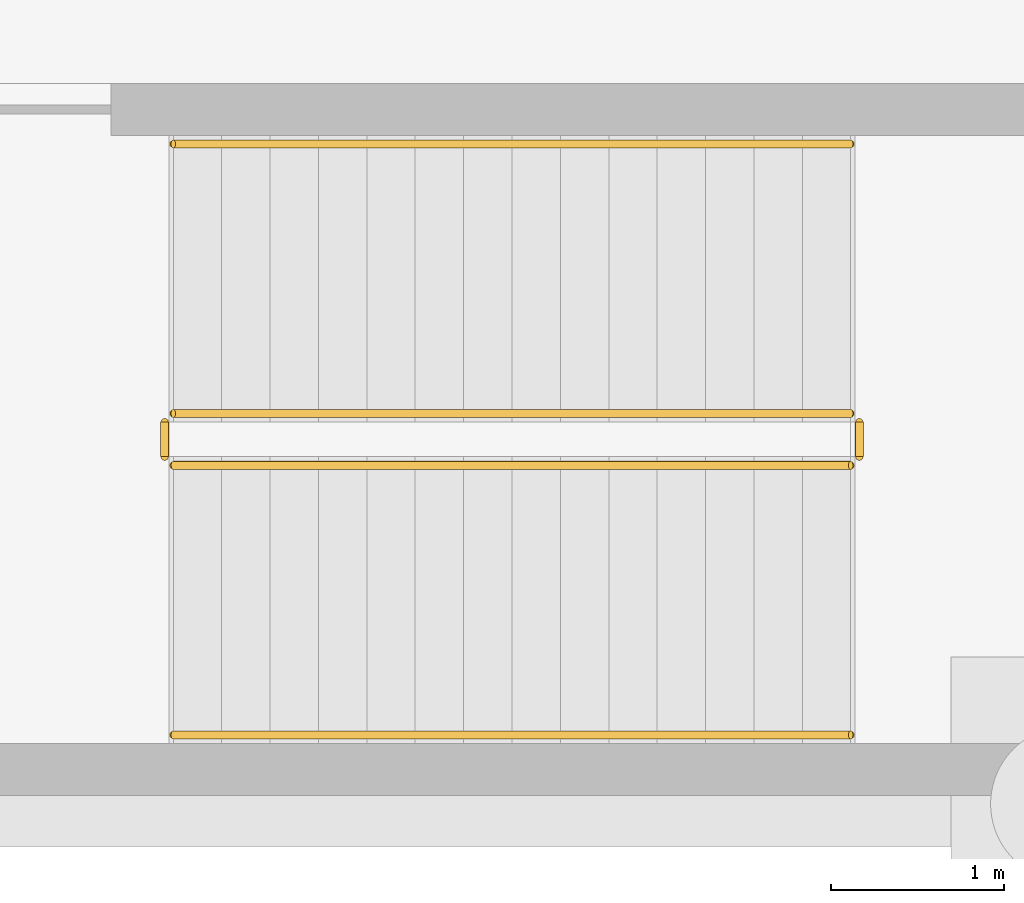
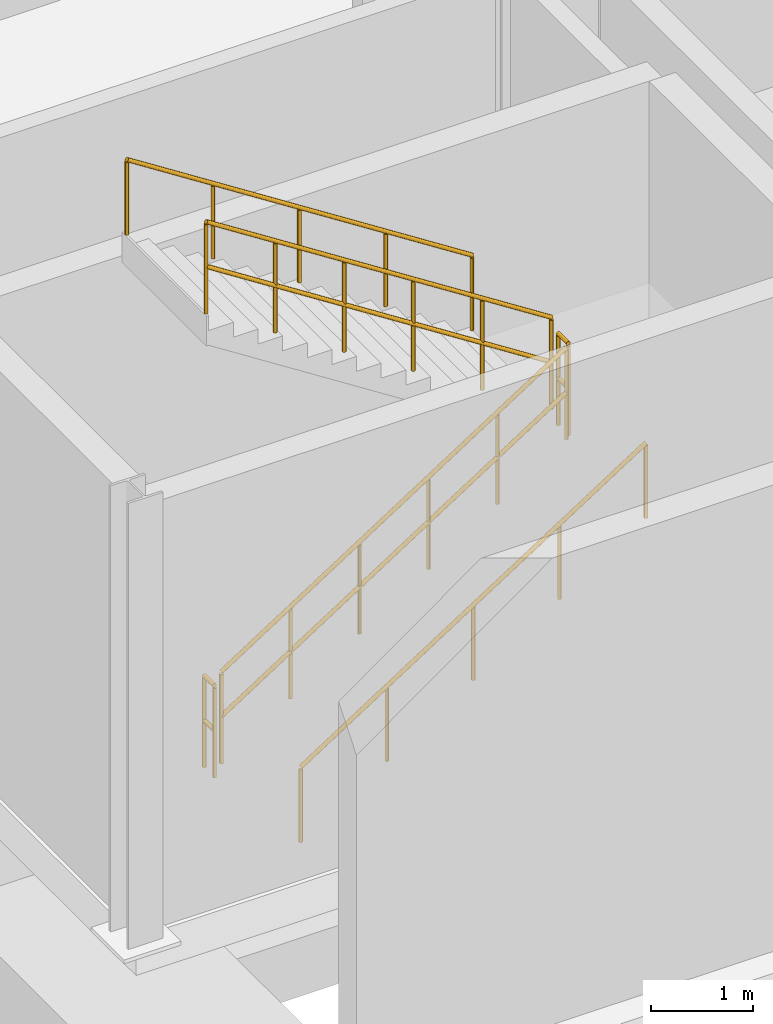
# One storey, part 57 of 61: 6 railings.
"""IFC4 building model written with IfcOpenShell, lengths in metres."""

from ifc_helpers import new_model, si_unit, direction, frame, origin, origin_2d, place, context, subcontext, project, spatial, circle, extrude, material, type_object, element, save


model = new_model("IFC4")

# Units and contexts
model_context = context("Model", 3, precision=1e-05, world=origin(), true_north=direction((0.0, 1.0)))
body_context = subcontext(model_context, "Body", "Model", "MODEL_VIEW")
ifc_project = project(units=[si_unit("LENGTHUNIT", "METRE"), si_unit("AREAUNIT", "SQUARE_METRE"), si_unit("VOLUMEUNIT", "CUBIC_METRE"), si_unit("PLANEANGLEUNIT", "RADIAN"), si_unit("MASSUNIT", "GRAM", prefix="KILO")], contexts=[model_context])

# Site, building, storey
site_placement = place(None, origin())
site = spatial("IfcSite", under=ifc_project, at=site_placement, CompositionType="ELEMENT")
building_placement = place(site_placement, origin())
building = spatial("IfcBuilding", under=site, at=building_placement, Name="Calvrana Isthmian Art Gallery", CompositionType="ELEMENT")
storey_placement = place(building_placement, frame((0.0, 0.0, -5.39990234375)))
storey = spatial("IfcBuildingStorey", under=building, at=storey_placement, Name="B1", CompositionType="ELEMENT", Elevation=-5.39990234375)

# Railings
ifc_material = material(Name="Stainless steel 316", Category="steel")
railing_type_1 = type_object("IfcRailingType", Name="RL-GUARD-1120", PredefinedType="BALUSTRADE", material=ifc_material)
railing_1_placement = place(storey_placement, frame((106.5, 78.760009765625, 0.179931640625)))
element("IfcRailing", 1, at=railing_1_placement, inside=storey, type_object=railing_type_1, Name="Stair ST-5 guard B1-1", PredefinedType="BALUSTRADE", context=body_context, shape_type="SweptSolid", body=[
    extrude(circle(Radius=0.02392578125, at=origin_2d()), frame((0.0, 0.0, 1.09619140625), z_axis=(0.841171666519, 0.0, 0.540768182723), x_axis=(0.0, 1.0, 0.0)), (0.0, 0.0, 1.0), 4.66015625),
    extrude(circle(Radius=0.02392578125, at=origin_2d()), frame((0.0, 0.0, 0.56005859375), z_axis=(0.841171666519, 0.0, 0.540768182723), x_axis=(0.0, 1.0, 0.0)), (0.0, 0.0, 1.0), 4.66015625),
    extrude(circle(Radius=0.02099609375, at=origin_2d()), origin(), (0.0, 0.0, 1.0), 1.072021484375),
    extrude(circle(Radius=0.02099609375, at=origin_2d()), frame((0.783935546875, 0.0, 0.50390625)), (0.0, 0.0, 1.0), 1.072021484375),
    extrude(circle(Radius=0.02099609375, at=origin_2d()), frame((1.56787109375, 0.0, 1.008056640625)), (0.0, 0.0, 1.0), 1.072021484375),
    extrude(circle(Radius=0.02099609375, at=origin_2d()), frame((2.35205078125, 0.0, 1.511962890625)), (0.0, 0.0, 1.0), 1.072021484375),
    extrude(circle(Radius=0.02099609375, at=origin_2d()), frame((3.135986328125, 0.0, 2.01611328125)), (0.0, 0.0, 1.0), 1.072021484375),
    extrude(circle(Radius=0.02099609375, at=origin_2d()), frame((3.919921875, 0.0, 2.52001953125)), (0.0, 0.0, 1.0), 1.072021484375),
])
railing_2_placement = place(storey_placement, frame((110.469970703125, 78.81005859375, 2.699951171875)))
element("IfcRailing", 2, at=railing_2_placement, inside=storey, type_object=railing_type_1, Name="Stair ST-5 guard B1-2", PredefinedType="BALUSTRADE", context=body_context, shape_type="SweptSolid", body=[
    extrude(circle(Radius=0.02392578125, at=origin_2d()), frame((0.0, 0.0, 1.09619140625), z_axis=(0.0, 1.0, 0.0), x_axis=(-1.0, 0.0, 0.0)), (0.0, 0.0, 1.0), 0.199951171875),
    extrude(circle(Radius=0.02392578125, at=origin_2d()), frame((0.0, 0.0, 0.56005859375), z_axis=(0.0, 1.0, 0.0), x_axis=(-1.0, 0.0, 0.0)), (0.0, 0.0, 1.0), 0.199951171875),
    extrude(circle(Radius=0.02099609375, at=origin_2d()), origin(), (0.0, 0.0, 1.0), 1.072021484375),
    extrude(circle(Radius=0.02099609375, at=origin_2d()), frame((0.0, 0.199951171875, 0.0)), (0.0, 0.0, 1.0), 1.072021484375),
])
railing_3_placement = place(storey_placement, frame((110.419921875, 79.06005859375, 2.8798828125)))
element("IfcRailing", 3, at=railing_3_placement, inside=storey, type_object=railing_type_1, Name="Stair ST-5 guard B1-3", PredefinedType="BALUSTRADE", context=body_context, shape_type="SweptSolid", body=[
    extrude(circle(Radius=0.02392578125, at=origin_2d()), frame((0.0, 0.0, 1.09619140625), z_axis=(-0.841171666519, 0.0, 0.540768182723), x_axis=(0.0, -1.0, 0.0)), (0.0, 0.0, 1.0), 4.66015625),
    extrude(circle(Radius=0.02392578125, at=origin_2d()), frame((0.0, 0.0, 0.56005859375), z_axis=(-0.841171666519, 0.0, 0.540768182723), x_axis=(0.0, -1.0, 0.0)), (0.0, 0.0, 1.0), 4.66015625),
    extrude(circle(Radius=0.02099609375, at=origin_2d()), origin(), (0.0, 0.0, 1.0), 1.072021484375),
    extrude(circle(Radius=0.02099609375, at=origin_2d()), frame((-0.783935546875, 0.0, 0.50390625)), (0.0, 0.0, 1.0), 1.072021484375),
    extrude(circle(Radius=0.02099609375, at=origin_2d()), frame((-1.56787109375, 0.0, 1.008056640625)), (0.0, 0.0, 1.0), 1.072021484375),
    extrude(circle(Radius=0.02099609375, at=origin_2d()), frame((-2.35205078125, 0.0, 1.511962890625)), (0.0, 0.0, 1.0), 1.072021484375),
    extrude(circle(Radius=0.02099609375, at=origin_2d()), frame((-3.135986328125, 0.0, 2.01611328125)), (0.0, 0.0, 1.0), 1.072021484375),
    extrude(circle(Radius=0.02099609375, at=origin_2d()), frame((-3.919921875, 0.0, 2.52001953125)), (0.0, 0.0, 1.0), 1.072021484375),
])
railing_4_placement = place(storey_placement, frame((106.449951171875, 78.81005859375, 0.0)))
element("IfcRailing", 4, at=railing_4_placement, inside=storey, type_object=railing_type_1, Name="Stair ST-5 guard B1-4", PredefinedType="BALUSTRADE", context=body_context, shape_type="SweptSolid", body=[
    extrude(circle(Radius=0.02392578125, at=origin_2d()), frame((0.0, 0.0, 1.09619140625), z_axis=(0.0, 1.0, 0.0), x_axis=(-1.0, 0.0, 0.0)), (0.0, 0.0, 1.0), 0.199951171875),
    extrude(circle(Radius=0.02392578125, at=origin_2d()), frame((0.0, 0.0, 0.56005859375), z_axis=(0.0, 1.0, 0.0), x_axis=(-1.0, 0.0, 0.0)), (0.0, 0.0, 1.0), 0.199951171875),
    extrude(circle(Radius=0.02099609375, at=origin_2d()), origin(), (0.0, 0.0, 1.0), 1.072021484375),
    extrude(circle(Radius=0.02099609375, at=origin_2d()), frame((0.0, 0.199951171875, 0.0)), (0.0, 0.0, 1.0), 1.072021484375),
])
railing_type_2 = type_object("IfcRailingType", Name="RL-HAND-920", PredefinedType="HANDRAIL", material=ifc_material)
railing_5_placement = place(storey_placement, frame((106.5, 77.199951171875, 0.179931640625)))
element("IfcRailing", 5, at=railing_5_placement, inside=storey, type_object=railing_type_2, Name="Stair ST-5 handrail B1-1", PredefinedType="HANDRAIL", context=body_context, shape_type="SweptSolid", body=[
    extrude(circle(Radius=0.02392578125, at=origin_2d()), frame((0.0, 0.0, 0.89599609375), z_axis=(0.841171666519, 0.0, 0.540768182723), x_axis=(0.0, 1.0, 0.0)), (0.0, 0.0, 1.0), 4.66015625),
    extrude(circle(Radius=0.02099609375, at=origin_2d()), origin(), (0.0, 0.0, 1.0), 0.871826171875),
    extrude(circle(Radius=0.02099609375, at=origin_2d()), frame((0.97998046875, 0.0, 0.6298828125)), (0.0, 0.0, 1.0), 0.871826171875),
    extrude(circle(Radius=0.02099609375, at=origin_2d()), frame((1.9599609375, 0.0, 1.260009765625)), (0.0, 0.0, 1.0), 0.871826171875),
    extrude(circle(Radius=0.02099609375, at=origin_2d()), frame((2.93994140625, 0.0, 1.89013671875)), (0.0, 0.0, 1.0), 0.871826171875),
    extrude(circle(Radius=0.02099609375, at=origin_2d()), frame((3.919921875, 0.0, 2.52001953125)), (0.0, 0.0, 1.0), 0.871826171875),
])
railing_6_placement = place(storey_placement, frame((110.419921875, 80.6201171875, 2.8798828125)))
element("IfcRailing", 6, at=railing_6_placement, inside=storey, type_object=railing_type_2, Name="Stair ST-5 handrail B1-2", PredefinedType="HANDRAIL", context=body_context, shape_type="SweptSolid", body=[
    extrude(circle(Radius=0.02392578125, at=origin_2d()), frame((0.0, 0.0, 0.89599609375), z_axis=(-0.841171666519, 0.0, 0.540768182723), x_axis=(0.0, -1.0, 0.0)), (0.0, 0.0, 1.0), 4.66015625),
    extrude(circle(Radius=0.02099609375, at=origin_2d()), origin(), (0.0, 0.0, 1.0), 0.871826171875),
    extrude(circle(Radius=0.02099609375, at=origin_2d()), frame((-0.97998046875, 0.0, 0.6298828125)), (0.0, 0.0, 1.0), 0.871826171875),
    extrude(circle(Radius=0.02099609375, at=origin_2d()), frame((-1.9599609375, 0.0, 1.260009765625)), (0.0, 0.0, 1.0), 0.871826171875),
    extrude(circle(Radius=0.02099609375, at=origin_2d()), frame((-2.93994140625, 0.0, 1.89013671875)), (0.0, 0.0, 1.0), 0.871826171875),
    extrude(circle(Radius=0.02099609375, at=origin_2d()), frame((-3.919921875, 0.0, 2.52001953125)), (0.0, 0.0, 1.0), 0.871826171875),
])

save(model, "model.ifc")
